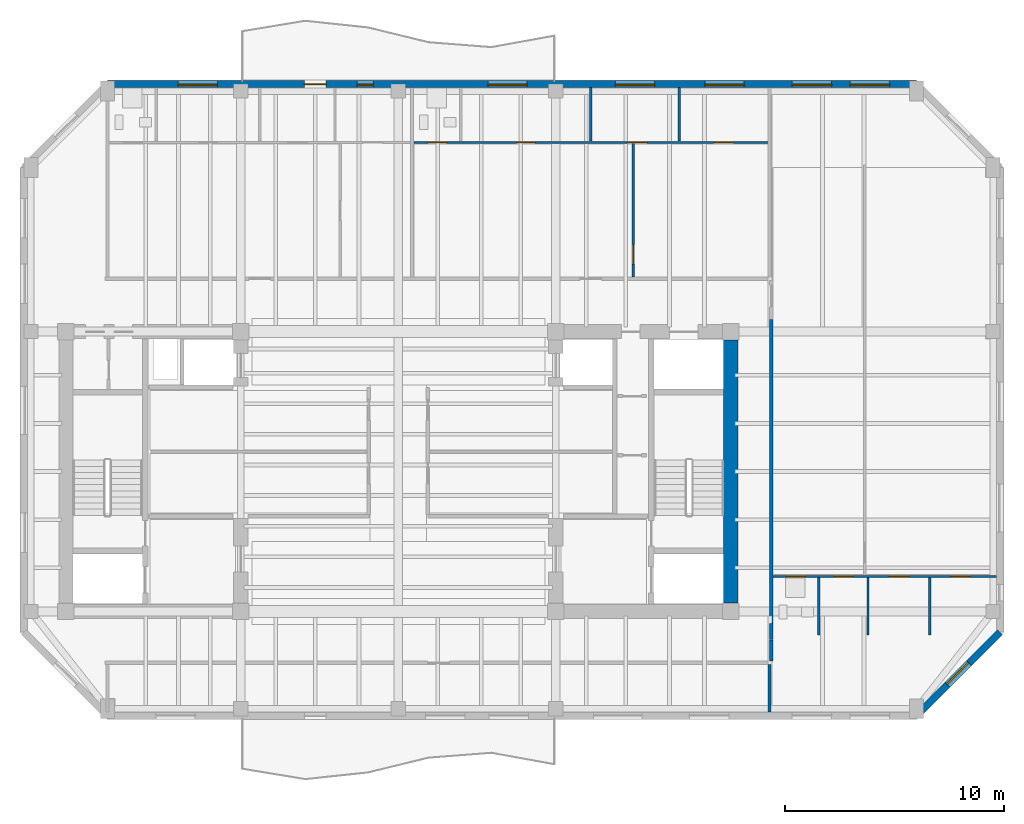
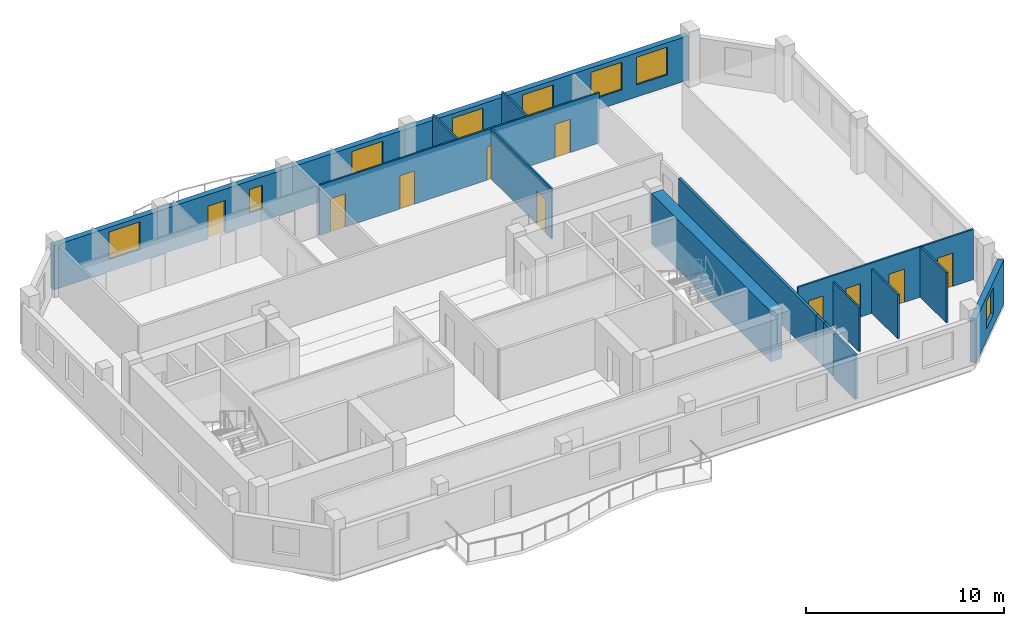
# One storey, part 5 of 9: 15 walls, 10 doors, 8 windows, 18 openings.
"""IFC4 building model written with IfcOpenShell, lengths in metres."""

from ifc_helpers import new_model, si_unit, direction, frame, frame_2d, origin, place, context, subcontext, project, spatial, rectangle, extrude, material, layer, layer_set, type_object, element, fill, save


model = new_model("IFC4")

# Units and contexts
model_context = context("Model", 3, precision=1e-05, world=origin(), true_north=direction((0.0, 1.0)))
body_context = subcontext(model_context, "Body", "Model", "MODEL_VIEW")
ifc_project = project(units=[si_unit("LENGTHUNIT", "METRE"), si_unit("AREAUNIT", "SQUARE_METRE"), si_unit("VOLUMEUNIT", "CUBIC_METRE"), si_unit("PLANEANGLEUNIT", "RADIAN"), si_unit("MASSUNIT", "GRAM", prefix="KILO")], contexts=[model_context])

# Site, building, storey
site_placement = place(None, origin())
site = spatial("IfcSite", under=ifc_project, at=site_placement, CompositionType="ELEMENT")
building_placement = place(site_placement, origin())
building = spatial("IfcBuilding", under=site, at=building_placement, Name="Kranthara Brick Stack", CompositionType="ELEMENT")
storey_placement = place(building_placement, frame((0.0, 0.0, 251.699951171875)))
storey = spatial("IfcBuildingStorey", under=building, at=storey_placement, Name="L66", CompositionType="ELEMENT", Elevation=251.699951171875)

# Wall, openings, door, windows
ifc_material_1 = material(Name="Warm buff clay brick masonry M15", Category="masonry")
ifc_layer_1 = layer(ifc_material_1, 0.320068359375)
ifc_layer_set_1 = layer_set([ifc_layer_1], Name="Warm buff clay brick masonry M15")
wall_type_1 = type_object("IfcWallType", Name="WL-BRK-UPPR-320", PredefinedType="STANDARD", material=ifc_layer_set_1)
wall_1_placement = place(storey_placement, frame((14.699951171875, 44.919921875, 0.0), z_axis=(0.0, 0.0, 1.0), x_axis=(1.0, 0.0, 0.0)))
wall_1 = element("IfcWall", 1, at=wall_1_placement, inside=storey, type_object=wall_type_1, Name="L66 Exterior Brick Facade Wall NORTH 1", PredefinedType="STANDARD", context=body_context, shape_type="SweptSolid", body=[
    extrude(rectangle(XDim=37.0, YDim=0.320068359375, at=frame_2d((18.5, 0.0))), origin(), (0.0, 0.0, 1.0), 2.72509765625),
])
opening_1_placement = place(wall_1_placement, frame((9.0, 0.0, 0.0)))
opening_1 = element("IfcOpeningElement", 2, at=opening_1_placement, cuts=wall_1, Name="Opening D03", PredefinedType="OPENING", context=body_context, shape_type="SweptSolid", body=[
    extrude(rectangle(XDim=1.0, YDim=2.02001953125, at=frame_2d((0.5, 1.010009765625))), frame((0.0, 0.169921875, 0.0), z_axis=(0.0, -1.0, 0.0), x_axis=(1.0, 0.0, 0.0)), (0.0, 0.0, 1.0), 0.340087890625),
])
opening_2_placement = place(wall_1_placement, frame((3.22802734375, 0.0, 0.75)))
opening_2 = element("IfcOpeningElement", 3, at=opening_2_placement, cuts=wall_1, Name="Opening WN07", PredefinedType="OPENING", context=body_context, shape_type="SweptSolid", body=[
    extrude(rectangle(XDim=1.800048828125, YDim=1.699951171875, at=frame_2d((0.89990234375, 0.85009765625))), frame((0.0, 0.169921875, 0.0), z_axis=(0.0, -1.0, 0.0), x_axis=(1.0, 0.0, 0.0)), (0.0, 0.0, 1.0), 0.340087890625),
])
opening_3_placement = place(wall_1_placement, frame((17.39208984375, 0.0, 0.75)))
opening_3 = element("IfcOpeningElement", 4, at=opening_3_placement, cuts=wall_1, Name="Opening WN07", PredefinedType="OPENING", context=body_context, shape_type="SweptSolid", body=[
    extrude(rectangle(XDim=1.800048828125, YDim=1.699951171875, at=frame_2d((0.89990234375, 0.85009765625))), frame((0.0, 0.169921875, 0.0), z_axis=(0.0, -1.0, 0.0), x_axis=(1.0, 0.0, 0.0)), (0.0, 0.0, 1.0), 0.340087890625),
])
opening_4_placement = place(wall_1_placement, frame((23.22802734375, 0.0, 0.75)))
opening_4 = element("IfcOpeningElement", 5, at=opening_4_placement, cuts=wall_1, Name="Opening WN07", PredefinedType="OPENING", context=body_context, shape_type="SweptSolid", body=[
    extrude(rectangle(XDim=1.800048828125, YDim=1.699951171875, at=frame_2d((0.89990234375, 0.85009765625))), frame((0.0, 0.169921875, 0.0), z_axis=(0.0, -1.0, 0.0), x_axis=(1.0, 0.0, 0.0)), (0.0, 0.0, 1.0), 0.340087890625),
])
opening_5_placement = place(wall_1_placement, frame((27.31591796875, 0.0, 0.75)))
opening_5 = element("IfcOpeningElement", 6, at=opening_5_placement, cuts=wall_1, Name="Opening WN07", PredefinedType="OPENING", context=body_context, shape_type="SweptSolid", body=[
    extrude(rectangle(XDim=1.800048828125, YDim=1.699951171875, at=frame_2d((0.89990234375, 0.85009765625))), frame((0.0, 0.169921875, 0.0), z_axis=(0.0, -1.0, 0.0), x_axis=(1.0, 0.0, 0.0)), (0.0, 0.0, 1.0), 0.340087890625),
])
opening_6_placement = place(wall_1_placement, frame((31.31494140625, 0.0, 0.75)))
opening_6 = element("IfcOpeningElement", 7, at=opening_6_placement, cuts=wall_1, Name="Opening WN07", PredefinedType="OPENING", context=body_context, shape_type="SweptSolid", body=[
    extrude(rectangle(XDim=1.800048828125, YDim=1.699951171875, at=frame_2d((0.89990234375, 0.85009765625))), frame((0.0, 0.169921875, 0.0), z_axis=(0.0, -1.0, 0.0), x_axis=(1.0, 0.0, 0.0)), (0.0, 0.0, 1.0), 0.340087890625),
])
opening_7_placement = place(wall_1_placement, frame((33.965087890625, 0.0, 0.75)))
opening_7 = element("IfcOpeningElement", 8, at=opening_7_placement, cuts=wall_1, Name="Opening WN07", PredefinedType="OPENING", context=body_context, shape_type="SweptSolid", body=[
    extrude(rectangle(XDim=1.800048828125, YDim=1.699951171875, at=frame_2d((0.89990234375, 0.85009765625))), frame((0.0, 0.169921875, 0.0), z_axis=(0.0, -1.0, 0.0), x_axis=(1.0, 0.0, 0.0)), (0.0, 0.0, 1.0), 0.340087890625),
])
opening_8_placement = place(wall_1_placement, frame((11.416015625, 0.0, 0.75)))
opening_8 = element("IfcOpeningElement", 9, at=opening_8_placement, cuts=wall_1, Name="Opening WN13", PredefinedType="OPENING", context=body_context, shape_type="SweptSolid", body=[
    extrude(rectangle(XDim=0.75, YDim=1.449951171875, at=frame_2d((0.375, 0.72509765625))), frame((0.0, 0.169921875, 0.0), z_axis=(0.0, -1.0, 0.0), x_axis=(1.0, 0.0, 0.0)), (0.0, 0.0, 1.0), 0.340087890625),
])
ifc_material_2 = material(Name="Bronze anodised aluminium and laminated glass", Category="aluminium")
door_type_1 = type_object("IfcDoorType", Name="DR-BALC-1000", OperationType="NOTDEFINED", PredefinedType="DOOR", material=ifc_material_2)
door_1_placement = place(opening_1_placement, origin())
door_1 = element("IfcDoor", 10, at=door_1_placement, inside=storey, type_object=door_type_1, Name="L66 North Balcony Terrace Door", OperationType="SINGLE_SWING_RIGHT", OverallHeight=2.02001953125, OverallWidth=1.0, PredefinedType="DOOR", context=body_context, shape_type="SweptSolid", body=[
    extrude(rectangle(XDim=1.0, YDim=2.02001953125, at=frame_2d((0.5, 1.010009765625))), frame((0.0, 0.02490234375, 0.0), z_axis=(0.0, -1.0, 0.0), x_axis=(1.0, 0.0, 0.0)), (0.0, 0.0, 1.0), 0.050048828125),
])
fill(opening_1, door_1)
ifc_material_3 = material(Name="Double-glazed low-E solar control glass", Category="glass")
window_type_1 = type_object("IfcWindowType", Name="WN-CAS-750x1450", PartitioningType="SINGLE_PANEL", PredefinedType="WINDOW", material=ifc_material_3)
window_1_placement = place(opening_8_placement, origin())
window_1 = element("IfcWindow", 11, at=window_1_placement, inside=storey, type_object=window_type_1, Name="L66 North Deep-Set Casement Window 07", OverallHeight=1.449951171875, OverallWidth=0.75, PartitioningType="SINGLE_PANEL", PredefinedType="WINDOW", context=body_context, shape_type="SweptSolid", body=[
    extrude(rectangle(XDim=0.75, YDim=1.449951171875, at=frame_2d((0.375, 0.72509765625))), frame((0.0, -0.010009765625, 0.0), z_axis=(0.0, -1.0, 0.0), x_axis=(1.0, 0.0, 0.0)), (0.0, 0.0, 1.0), 0.06005859375),
])
fill(opening_8, window_1)
ifc_material_4 = material(Name="Double-glazed low-E solar control glass", Category="glass")
window_type_2 = type_object("IfcWindowType", Name="WN-RES-1800x1850", PartitioningType="DOUBLE_PANEL_VERTICAL", PredefinedType="WINDOW", material=ifc_material_4)
window_2_placement = place(opening_2_placement, origin())
window_2 = element("IfcWindow", 12, at=window_2_placement, inside=storey, type_object=window_type_2, Name="L66 North Deep-Set Brick Window 01", OverallHeight=1.699951171875, OverallWidth=1.800048828125, PartitioningType="SINGLE_PANEL", PredefinedType="WINDOW", context=body_context, shape_type="SweptSolid", body=[
    extrude(rectangle(XDim=1.800048828125, YDim=1.699951171875, at=frame_2d((0.89990234375, 0.85009765625))), frame((0.0, -0.010009765625, 0.0), z_axis=(0.0, -1.0, 0.0), x_axis=(1.0, 0.0, 0.0)), (0.0, 0.0, 1.0), 0.06005859375),
])
fill(opening_2, window_2)
window_3_placement = place(opening_3_placement, origin())
window_3 = element("IfcWindow", 13, at=window_3_placement, inside=storey, type_object=window_type_2, Name="L66 North Deep-Set Brick Window 02", OverallHeight=1.699951171875, OverallWidth=1.800048828125, PartitioningType="SINGLE_PANEL", PredefinedType="WINDOW", context=body_context, shape_type="SweptSolid", body=[
    extrude(rectangle(XDim=1.800048828125, YDim=1.699951171875, at=frame_2d((0.89990234375, 0.85009765625))), frame((0.0, -0.010009765625, 0.0), z_axis=(0.0, -1.0, 0.0), x_axis=(1.0, 0.0, 0.0)), (0.0, 0.0, 1.0), 0.06005859375),
])
fill(opening_3, window_3)
window_4_placement = place(opening_4_placement, origin())
window_4 = element("IfcWindow", 14, at=window_4_placement, inside=storey, type_object=window_type_2, Name="L66 North Deep-Set Brick Window 03", OverallHeight=1.699951171875, OverallWidth=1.800048828125, PartitioningType="SINGLE_PANEL", PredefinedType="WINDOW", context=body_context, shape_type="SweptSolid", body=[
    extrude(rectangle(XDim=1.800048828125, YDim=1.699951171875, at=frame_2d((0.89990234375, 0.85009765625))), frame((0.0, -0.010009765625, 0.0), z_axis=(0.0, -1.0, 0.0), x_axis=(1.0, 0.0, 0.0)), (0.0, 0.0, 1.0), 0.06005859375),
])
fill(opening_4, window_4)
window_5_placement = place(opening_5_placement, origin())
window_5 = element("IfcWindow", 15, at=window_5_placement, inside=storey, type_object=window_type_2, Name="L66 North Deep-Set Brick Window 04", OverallHeight=1.699951171875, OverallWidth=1.800048828125, PartitioningType="SINGLE_PANEL", PredefinedType="WINDOW", context=body_context, shape_type="SweptSolid", body=[
    extrude(rectangle(XDim=1.800048828125, YDim=1.699951171875, at=frame_2d((0.89990234375, 0.85009765625))), frame((0.0, -0.010009765625, 0.0), z_axis=(0.0, -1.0, 0.0), x_axis=(1.0, 0.0, 0.0)), (0.0, 0.0, 1.0), 0.06005859375),
])
fill(opening_5, window_5)
window_6_placement = place(opening_6_placement, origin())
window_6 = element("IfcWindow", 16, at=window_6_placement, inside=storey, type_object=window_type_2, Name="L66 North Deep-Set Brick Window 05", OverallHeight=1.699951171875, OverallWidth=1.800048828125, PartitioningType="SINGLE_PANEL", PredefinedType="WINDOW", context=body_context, shape_type="SweptSolid", body=[
    extrude(rectangle(XDim=1.800048828125, YDim=1.699951171875, at=frame_2d((0.89990234375, 0.85009765625))), frame((0.0, -0.010009765625, 0.0), z_axis=(0.0, -1.0, 0.0), x_axis=(1.0, 0.0, 0.0)), (0.0, 0.0, 1.0), 0.06005859375),
])
fill(opening_6, window_6)
window_7_placement = place(opening_7_placement, origin())
window_7 = element("IfcWindow", 17, at=window_7_placement, inside=storey, type_object=window_type_2, Name="L66 North Deep-Set Brick Window 06", OverallHeight=1.699951171875, OverallWidth=1.800048828125, PartitioningType="SINGLE_PANEL", PredefinedType="WINDOW", context=body_context, shape_type="SweptSolid", body=[
    extrude(rectangle(XDim=1.800048828125, YDim=1.699951171875, at=frame_2d((0.89990234375, 0.85009765625))), frame((0.0, -0.010009765625, 0.0), z_axis=(0.0, -1.0, 0.0), x_axis=(1.0, 0.0, 0.0)), (0.0, 0.0, 1.0), 0.06005859375),
])
fill(opening_7, window_7)

# Wall, opening, window
wall_2_placement = place(storey_placement, frame((55.52001953125, 19.85009765625, 0.0), z_axis=(0.0, 0.0, 1.0), x_axis=(-0.707106781187, -0.707106781187, 0.0)))
wall_2 = element("IfcWall", 18, at=wall_2_placement, inside=storey, type_object=wall_type_1, Name="L66 Exterior Brick Facade Wall SE 1", PredefinedType="STANDARD", context=body_context, shape_type="SweptSolid", body=[
    extrude(rectangle(XDim=5.40234375, YDim=0.320068359375, at=frame_2d((2.701171875, 0.0))), origin(), (0.0, 0.0, 1.0), 2.72509765625),
])
opening_9_placement = place(wall_2_placement, frame((2.0009765625, 0.0, 0.75)))
opening_9 = element("IfcOpeningElement", 19, at=opening_9_placement, cuts=wall_2, Name="Opening WN10", PredefinedType="OPENING", context=body_context, shape_type="SweptSolid", body=[
    extrude(rectangle(XDim=1.39990234375, YDim=1.64990234375, at=frame_2d((0.699951171875, 0.824951171875))), frame((0.0, 0.169921875, 0.0), z_axis=(0.0, -1.0, 0.0), x_axis=(1.0, 0.0, 0.0)), (0.0, 0.0, 1.0), 0.340087890625),
])
ifc_material_5 = material(Name="Double-glazed low-E solar control glass", Category="glass")
window_type_3 = type_object("IfcWindowType", Name="WN-CHM-1400x1750", PartitioningType="SINGLE_PANEL", PredefinedType="WINDOW", material=ifc_material_5)
window_8_placement = place(opening_9_placement, origin())
window_8 = element("IfcWindow", 20, at=window_8_placement, inside=storey, type_object=window_type_3, Name="L66 SE Chamfer Corner Window", OverallHeight=1.64990234375, OverallWidth=1.39990234375, PartitioningType="SINGLE_PANEL", PredefinedType="WINDOW", context=body_context, shape_type="SweptSolid", body=[
    extrude(rectangle(XDim=1.39990234375, YDim=1.64990234375, at=frame_2d((0.699951171875, 0.824951171875))), frame((0.0, -0.010009765625, 0.0), z_axis=(0.0, -1.0, 0.0), x_axis=(1.0, 0.0, 0.0)), (0.0, 0.0, 1.0), 0.06005859375),
])
fill(opening_9, window_8)

# Wall
ifc_material_6 = material(Name="Concrete C60/75", Category="concrete")
ifc_layer_2 = layer(ifc_material_6, 0.64990234375)
ifc_layer_set_2 = layer_set([ifc_layer_2], Name="Concrete C60/75")
wall_type_2 = type_object("IfcWallType", Name="WL-CORE-650", PredefinedType="SHEAR", material=ifc_layer_set_2)
wall_3_placement = place(storey_placement, frame((43.199951171875, 21.179931640625, 0.0), z_axis=(0.0, 0.0, 1.0), x_axis=(0.0, 1.0, 0.0)))
element("IfcWall", 21, at=wall_3_placement, inside=storey, type_object=wall_type_2, Name="L66 East Core Shear Wall East", PredefinedType="SHEAR", context=body_context, shape_type="SweptSolid", body=[
    extrude(rectangle(XDim=12.0400390625, YDim=0.64990234375, at=frame_2d((6.02001953125, 0.0))), origin(), (0.0, 0.0, 1.0), 3.10009765625),
])

# Wall, openings, doors
ifc_material_7 = material(Name="Moisture-resistant wet-room partition", Category="other")
ifc_layer_3 = layer(ifc_material_7, 0.10009765625)
ifc_layer_set_3 = layer_set([ifc_layer_3], Name="Moisture-resistant wet-room partition")
wall_type_3 = type_object("IfcWallType", Name="WL-PART-100", PredefinedType="PARTITIONING", material=ifc_layer_set_3)
wall_4_placement = place(storey_placement, frame((28.708984375, 42.25, 0.0), z_axis=(0.0, 0.0, 1.0), x_axis=(1.0, 0.0, 0.0)))
wall_4 = element("IfcWall", 22, at=wall_4_placement, inside=storey, type_object=wall_type_3, Name="L66 Interior Partition 021", PredefinedType="PARTITIONING", context=body_context, shape_type="SweptSolid", body=[
    extrude(rectangle(XDim=16.31103515625, YDim=0.10009765625, at=frame_2d((8.155517578125, 0.0))), origin(), (0.0, 0.0, 1.0), 3.10009765625),
])
opening_10_placement = place(wall_4_placement, frame((0.64990234375, 0.0, 0.0)))
opening_10 = element("IfcOpeningElement", 23, at=opening_10_placement, cuts=wall_4, Name="Opening D17", PredefinedType="OPENING", context=body_context, shape_type="SweptSolid", body=[
    extrude(rectangle(XDim=0.85009765625, YDim=2.050048828125, at=frame_2d((0.425048828125, 1.02490234375))), frame((0.0, 0.06005859375, 0.0), z_axis=(0.0, -1.0, 0.0), x_axis=(1.0, 0.0, 0.0)), (0.0, 0.0, 1.0), 0.1201171875),
])
opening_11_placement = place(wall_4_placement, frame((4.697021484375, 0.0, 0.0)))
opening_11 = element("IfcOpeningElement", 24, at=opening_11_placement, cuts=wall_4, Name="Opening D16", PredefinedType="OPENING", context=body_context, shape_type="SweptSolid", body=[
    extrude(rectangle(XDim=0.85009765625, YDim=2.050048828125, at=frame_2d((0.425048828125, 1.02490234375))), frame((0.0, 0.06005859375, 0.0), z_axis=(0.0, -1.0, 0.0), x_axis=(1.0, 0.0, 0.0)), (0.0, 0.0, 1.0), 0.1201171875),
])
opening_12_placement = place(wall_4_placement, frame((9.76904296875, 0.0, 0.0)))
opening_12 = element("IfcOpeningElement", 25, at=opening_12_placement, cuts=wall_4, Name="Opening D15", PredefinedType="OPENING", context=body_context, shape_type="SweptSolid", body=[
    extrude(rectangle(XDim=0.89990234375, YDim=2.050048828125, at=frame_2d((0.449951171875, 1.02490234375))), frame((0.0, 0.06005859375, 0.0), z_axis=(0.0, -1.0, 0.0), x_axis=(1.0, 0.0, 0.0)), (0.0, 0.0, 1.0), 0.1201171875),
])
opening_13_placement = place(wall_4_placement, frame((13.717041015625, 0.0, 0.0)))
opening_13 = element("IfcOpeningElement", 26, at=opening_13_placement, cuts=wall_4, Name="Opening D15", PredefinedType="OPENING", context=body_context, shape_type="SweptSolid", body=[
    extrude(rectangle(XDim=0.89990234375, YDim=2.050048828125, at=frame_2d((0.449951171875, 1.02490234375))), frame((0.0, 0.06005859375, 0.0), z_axis=(0.0, -1.0, 0.0), x_axis=(1.0, 0.0, 0.0)), (0.0, 0.0, 1.0), 0.1201171875),
])
ifc_material_8 = material(Name="Solid-core hardwood timber leaf in steel frame", Category="steel")
door_type_2 = type_object("IfcDoorType", Name="DR-INT-850", OperationType="NOTDEFINED", PredefinedType="DOOR", material=ifc_material_8)
door_2_placement = place(opening_11_placement, origin())
door_2 = element("IfcDoor", 27, at=door_2_placement, inside=storey, type_object=door_type_2, Name="L66 Unit L66B Kitchen 18", OperationType="SINGLE_SWING_RIGHT", OverallHeight=2.050048828125, OverallWidth=0.85009765625, PredefinedType="DOOR", context=body_context, shape_type="SweptSolid", body=[
    extrude(rectangle(XDim=0.85009765625, YDim=2.050048828125, at=frame_2d((0.425048828125, 1.02490234375))), frame((0.0, 0.02490234375, 0.0), z_axis=(0.0, -1.0, 0.0), x_axis=(1.0, 0.0, 0.0)), (0.0, 0.0, 1.0), 0.050048828125),
])
fill(opening_11, door_2)
ifc_material_9 = material(Name="Solid-core hardwood timber leaf in steel frame", Category="steel")
door_type_3 = type_object("IfcDoorType", Name="DR-INT-900", OperationType="NOTDEFINED", PredefinedType="DOOR", material=ifc_material_9)
door_3_placement = place(opening_12_placement, origin())
door_3 = element("IfcDoor", 28, at=door_3_placement, inside=storey, type_object=door_type_3, Name="L66 Unit L66B Master Bedroom 19", OperationType="SINGLE_SWING_LEFT", OverallHeight=2.050048828125, OverallWidth=0.89990234375, PredefinedType="DOOR", context=body_context, shape_type="SweptSolid", body=[
    extrude(rectangle(XDim=0.89990234375, YDim=2.050048828125, at=frame_2d((0.449951171875, 1.02490234375))), frame((0.0, 0.02490234375, 0.0), z_axis=(0.0, -1.0, 0.0), x_axis=(1.0, 0.0, 0.0)), (0.0, 0.0, 1.0), 0.050048828125),
])
fill(opening_12, door_3)
door_4_placement = place(opening_13_placement, origin())
door_4 = element("IfcDoor", 29, at=door_4_placement, inside=storey, type_object=door_type_3, Name="L66 Unit L66B Bedroom 2 20", OperationType="SINGLE_SWING_RIGHT", OverallHeight=2.050048828125, OverallWidth=0.89990234375, PredefinedType="DOOR", context=body_context, shape_type="SweptSolid", body=[
    extrude(rectangle(XDim=0.89990234375, YDim=2.050048828125, at=frame_2d((0.449951171875, 1.02490234375))), frame((0.0, 0.02490234375, 0.0), z_axis=(0.0, -1.0, 0.0), x_axis=(1.0, 0.0, 0.0)), (0.0, 0.0, 1.0), 0.050048828125),
])
fill(opening_13, door_4)
ifc_material_10 = material(Name="Solid-core hardwood timber leaf in steel frame", Category="steel")
door_type_4 = type_object("IfcDoorType", Name="DR-WET-850", OperationType="NOTDEFINED", PredefinedType="DOOR", material=ifc_material_10)
door_5_placement = place(opening_10_placement, origin())
door_5 = element("IfcDoor", 30, at=door_5_placement, inside=storey, type_object=door_type_4, Name="L66 Unit L66B Bathroom 17", OperationType="SINGLE_SWING_LEFT", OverallHeight=2.050048828125, OverallWidth=0.85009765625, PredefinedType="DOOR", context=body_context, shape_type="SweptSolid", body=[
    extrude(rectangle(XDim=0.85009765625, YDim=2.050048828125, at=frame_2d((0.425048828125, 1.02490234375))), frame((0.0, 0.02490234375, 0.0), z_axis=(0.0, -1.0, 0.0), x_axis=(1.0, 0.0, 0.0)), (0.0, 0.0, 1.0), 0.050048828125),
])
fill(opening_10, door_5)

# Wall, opening, door
wall_5_placement = place(storey_placement, frame((38.7470703125, 36.10009765625, 0.0), z_axis=(0.0, 0.0, 1.0), x_axis=(0.0, 1.0, 0.0)))
wall_5 = element("IfcWall", 31, at=wall_5_placement, inside=storey, type_object=wall_type_3, Name="L66 Interior Partition 022", PredefinedType="PARTITIONING", context=body_context, shape_type="SweptSolid", body=[
    extrude(rectangle(XDim=6.094970703125, YDim=0.10009765625, at=frame_2d((3.04736328125, 0.0))), origin(), (0.0, 0.0, 1.0), 3.10009765625),
])
opening_14_placement = place(wall_5_placement, frame((0.580078125, 0.0, 0.0)))
opening_14 = element("IfcOpeningElement", 32, at=opening_14_placement, cuts=wall_5, Name="Opening D15", PredefinedType="OPENING", context=body_context, shape_type="SweptSolid", body=[
    extrude(rectangle(XDim=0.89990234375, YDim=2.050048828125, at=frame_2d((0.449951171875, 1.02490234375))), frame((0.0, 0.06005859375, 0.0), z_axis=(0.0, -1.0, 0.0), x_axis=(1.0, 0.0, 0.0)), (0.0, 0.0, 1.0), 0.1201171875),
])
door_6_placement = place(opening_14_placement, origin())
door_6 = element("IfcDoor", 33, at=door_6_placement, inside=storey, type_object=door_type_3, Name="L66 Unit L66B Study 16", OperationType="SINGLE_SWING_RIGHT", OverallHeight=2.050048828125, OverallWidth=0.89990234375, PredefinedType="DOOR", context=body_context, shape_type="SweptSolid", body=[
    extrude(rectangle(XDim=0.89990234375, YDim=2.050048828125, at=frame_2d((0.449951171875, 1.02490234375))), frame((0.0, 0.02490234375, 0.0), z_axis=(0.0, -1.0, 0.0), x_axis=(1.0, 0.0, 0.0)), (0.0, 0.0, 1.0), 0.050048828125),
])
fill(opening_14, door_6)

# Walls
for number, where, z_axis, x_axis, name in (
    (34, (36.803955078125, 42.304931640625, 0.0), (0.0, 0.0, 1.0), (0.0, 1.0, 0.0), "L66 Interior Partition 024"),
    (35, (40.85205078125, 42.304931640625, 0.0), (0.0, 0.0, 1.0), (0.0, 1.0, 0.0), "L66 Interior Partition 025"),
):
    element("IfcWall", number, at=place(storey_placement, frame(where, z_axis=z_axis, x_axis=x_axis)), inside=storey, type_object=wall_type_3, Name=name, PredefinedType="PARTITIONING", context=body_context, shape_type="SweptSolid", body=[
        extrude(rectangle(XDim=2.449951171875, YDim=0.10009765625, at=frame_2d((1.22509765625, 0.0))), origin(), (0.0, 0.0, 1.0), 3.10009765625),
    ])

# Wall, openings, doors
wall_6_placement = place(storey_placement, frame((45.1298828125, 22.39990234375, 0.0), z_axis=(0.0, 0.0, 1.0), x_axis=(1.0, 0.0, 0.0)))
wall_6 = element("IfcWall", 36, at=wall_6_placement, inside=storey, type_object=wall_type_3, Name="L66 Interior Partition 032", PredefinedType="PARTITIONING", context=body_context, shape_type="SweptSolid", body=[
    extrude(rectangle(XDim=10.22509765625, YDim=0.10009765625, at=frame_2d((5.112548828125, 0.0))), origin(), (0.0, 0.0, 1.0), 3.10009765625),
])
opening_15_placement = place(wall_6_placement, frame((0.626953125, 0.0, 0.0)))
opening_15 = element("IfcOpeningElement", 37, at=opening_15_placement, cuts=wall_6, Name="Opening D17", PredefinedType="OPENING", context=body_context, shape_type="SweptSolid", body=[
    extrude(rectangle(XDim=0.85009765625, YDim=2.050048828125, at=frame_2d((0.425048828125, 1.02490234375))), frame((0.0, 0.06005859375, 0.0), z_axis=(0.0, -1.0, 0.0), x_axis=(1.0, 0.0, 0.0)), (0.0, 0.0, 1.0), 0.1201171875),
])
opening_16_placement = place(wall_6_placement, frame((2.798095703125, 0.0, 0.0)))
opening_16 = element("IfcOpeningElement", 38, at=opening_16_placement, cuts=wall_6, Name="Opening D16", PredefinedType="OPENING", context=body_context, shape_type="SweptSolid", body=[
    extrude(rectangle(XDim=0.85009765625, YDim=2.050048828125, at=frame_2d((0.425048828125, 1.02490234375))), frame((0.0, 0.06005859375, 0.0), z_axis=(0.0, -1.0, 0.0), x_axis=(1.0, 0.0, 0.0)), (0.0, 0.0, 1.0), 0.1201171875),
])
opening_17_placement = place(wall_6_placement, frame((5.31396484375, 0.0, 0.0)))
opening_17 = element("IfcOpeningElement", 39, at=opening_17_placement, cuts=wall_6, Name="Opening D15", PredefinedType="OPENING", context=body_context, shape_type="SweptSolid", body=[
    extrude(rectangle(XDim=0.89990234375, YDim=2.050048828125, at=frame_2d((0.449951171875, 1.02490234375))), frame((0.0, 0.06005859375, 0.0), z_axis=(0.0, -1.0, 0.0), x_axis=(1.0, 0.0, 0.0)), (0.0, 0.0, 1.0), 0.1201171875),
])
opening_18_placement = place(wall_6_placement, frame((8.137939453125, 0.0, 0.0)))
opening_18 = element("IfcOpeningElement", 40, at=opening_18_placement, cuts=wall_6, Name="Opening D15", PredefinedType="OPENING", context=body_context, shape_type="SweptSolid", body=[
    extrude(rectangle(XDim=0.89990234375, YDim=2.050048828125, at=frame_2d((0.449951171875, 1.02490234375))), frame((0.0, 0.06005859375, 0.0), z_axis=(0.0, -1.0, 0.0), x_axis=(1.0, 0.0, 0.0)), (0.0, 0.0, 1.0), 0.1201171875),
])
door_7_placement = place(opening_16_placement, origin())
door_7 = element("IfcDoor", 41, at=door_7_placement, inside=storey, type_object=door_type_2, Name="L66 Unit L66C Kitchen 24", OperationType="SINGLE_SWING_RIGHT", OverallHeight=2.050048828125, OverallWidth=0.85009765625, PredefinedType="DOOR", context=body_context, shape_type="SweptSolid", body=[
    extrude(rectangle(XDim=0.85009765625, YDim=2.050048828125, at=frame_2d((0.425048828125, 1.02490234375))), frame((0.0, 0.02490234375, 0.0), z_axis=(0.0, -1.0, 0.0), x_axis=(1.0, 0.0, 0.0)), (0.0, 0.0, 1.0), 0.050048828125),
])
fill(opening_16, door_7)
door_8_placement = place(opening_17_placement, origin())
door_8 = element("IfcDoor", 42, at=door_8_placement, inside=storey, type_object=door_type_3, Name="L66 Unit L66C Master Bedroom 25", OperationType="SINGLE_SWING_LEFT", OverallHeight=2.050048828125, OverallWidth=0.89990234375, PredefinedType="DOOR", context=body_context, shape_type="SweptSolid", body=[
    extrude(rectangle(XDim=0.89990234375, YDim=2.050048828125, at=frame_2d((0.449951171875, 1.02490234375))), frame((0.0, 0.02490234375, 0.0), z_axis=(0.0, -1.0, 0.0), x_axis=(1.0, 0.0, 0.0)), (0.0, 0.0, 1.0), 0.050048828125),
])
fill(opening_17, door_8)
door_9_placement = place(opening_18_placement, origin())
door_9 = element("IfcDoor", 43, at=door_9_placement, inside=storey, type_object=door_type_3, Name="L66 Unit L66C Bedroom 2 26", OperationType="SINGLE_SWING_RIGHT", OverallHeight=2.050048828125, OverallWidth=0.89990234375, PredefinedType="DOOR", context=body_context, shape_type="SweptSolid", body=[
    extrude(rectangle(XDim=0.89990234375, YDim=2.050048828125, at=frame_2d((0.449951171875, 1.02490234375))), frame((0.0, 0.02490234375, 0.0), z_axis=(0.0, -1.0, 0.0), x_axis=(1.0, 0.0, 0.0)), (0.0, 0.0, 1.0), 0.050048828125),
])
fill(opening_18, door_9)
door_10_placement = place(opening_15_placement, origin())
door_10 = element("IfcDoor", 44, at=door_10_placement, inside=storey, type_object=door_type_4, Name="L66 Unit L66C Bathroom 23", OperationType="SINGLE_SWING_LEFT", OverallHeight=2.050048828125, OverallWidth=0.85009765625, PredefinedType="DOOR", context=body_context, shape_type="SweptSolid", body=[
    extrude(rectangle(XDim=0.85009765625, YDim=2.050048828125, at=frame_2d((0.425048828125, 1.02490234375))), frame((0.0, 0.02490234375, 0.0), z_axis=(0.0, -1.0, 0.0), x_axis=(1.0, 0.0, 0.0)), (0.0, 0.0, 1.0), 0.050048828125),
])
fill(opening_15, door_10)

# Walls
for number, where, z_axis, x_axis, name in (
    (45, (47.22412109375, 19.72998046875, 0.0), (0.0, 0.0, 1.0), (0.0, 1.0, 0.0), "L66 Interior Partition 034"),
    (46, (49.48193359375, 19.72998046875, 0.0), (0.0, 0.0, 1.0), (0.0, 1.0, 0.0), "L66 Interior Partition 035"),
):
    element("IfcWall", number, at=place(storey_placement, frame(where, z_axis=z_axis, x_axis=x_axis)), inside=storey, type_object=wall_type_3, Name=name, PredefinedType="PARTITIONING", context=body_context, shape_type="SweptSolid", body=[
        extrude(rectangle(XDim=2.614990234375, YDim=0.10009765625, at=frame_2d((1.3076171875, 0.0))), origin(), (0.0, 0.0, 1.0), 2.72509765625),
    ])
wall_7_placement = place(storey_placement, frame((52.305908203125, 19.72998046875, 0.0), z_axis=(0.0, 0.0, 1.0), x_axis=(0.0, 1.0, 0.0)))
element("IfcWall", 47, at=wall_7_placement, inside=storey, type_object=wall_type_3, Name="L66 Interior Partition 036", PredefinedType="PARTITIONING", context=body_context, shape_type="SweptSolid", body=[
    extrude(rectangle(XDim=2.614990234375, YDim=0.10009765625, at=frame_2d((1.3076171875, 0.0))), origin(), (0.0, 0.0, 1.0), 3.10009765625),
])
ifc_material_11 = material(Name="Fire-rated gypsum board partition", Category="other")
ifc_layer_4 = layer(ifc_material_11, 0.14990234375)
ifc_layer_set_4 = layer_set([ifc_layer_4], Name="Fire-rated gypsum board partition")
wall_type_4 = type_object("IfcWallType", Name="WL-PART-150", PredefinedType="PARTITIONING", material=ifc_layer_set_4)
wall_8_placement = place(storey_placement, frame((44.97998046875, 16.195068359375, 0.0), z_axis=(0.0, 0.0, 1.0), x_axis=(0.0, 1.0, 0.0)))
element("IfcWall", 48, at=wall_8_placement, inside=storey, type_object=wall_type_4, Name="L66 Interior Partition 012", PredefinedType="PARTITIONING", context=body_context, shape_type="SweptSolid", body=[
    extrude(rectangle(XDim=2.184814453125, YDim=0.14990234375, at=frame_2d((1.09228515625, 0.0))), origin(), (0.0, 0.0, 1.0), 2.72509765625),
])
wall_9_placement = place(storey_placement, frame((45.050048828125, 19.5, 0.0), z_axis=(0.0, 0.0, 1.0), x_axis=(0.0, -1.0, 0.0)))
element("IfcWall", 49, at=wall_9_placement, inside=storey, type_object=wall_type_4, Name="L66 Interior Partition 027", PredefinedType="PARTITIONING", context=body_context, shape_type="SweptSolid", body=[
    extrude(rectangle(XDim=0.9599609375, YDim=0.14990234375, at=frame_2d((0.47998046875, 0.0))), origin(), (0.0, 0.0, 1.0), 2.72509765625),
])
wall_10_placement = place(storey_placement, frame((45.050048828125, 19.510009765625, 0.0), z_axis=(0.0, 0.0, 1.0), x_axis=(0.0, 1.0, 0.0)))
element("IfcWall", 50, at=wall_10_placement, inside=storey, type_object=wall_type_4, Name="L66 Interior Partition 028", PredefinedType="PARTITIONING", context=body_context, shape_type="SweptSolid", body=[
    extrude(rectangle(XDim=0.739990234375, YDim=0.14990234375, at=frame_2d((0.3701171875, 0.0))), origin(), (0.0, 0.0, 1.0), 2.72509765625),
])
wall_11_placement = place(storey_placement, frame((45.050048828125, 20.25, 0.0), z_axis=(0.0, 0.0, 1.0), x_axis=(0.0, 1.0, 0.0)))
element("IfcWall", 51, at=wall_11_placement, inside=storey, type_object=wall_type_4, Name="L66 Interior Partition 029", PredefinedType="PARTITIONING", context=body_context, shape_type="SweptSolid", body=[
    extrude(rectangle(XDim=13.89990234375, YDim=0.14990234375, at=frame_2d((6.949951171875, 0.0))), origin(), (0.0, 0.0, 1.0), 2.72509765625),
])

save(model, "model.ifc")
